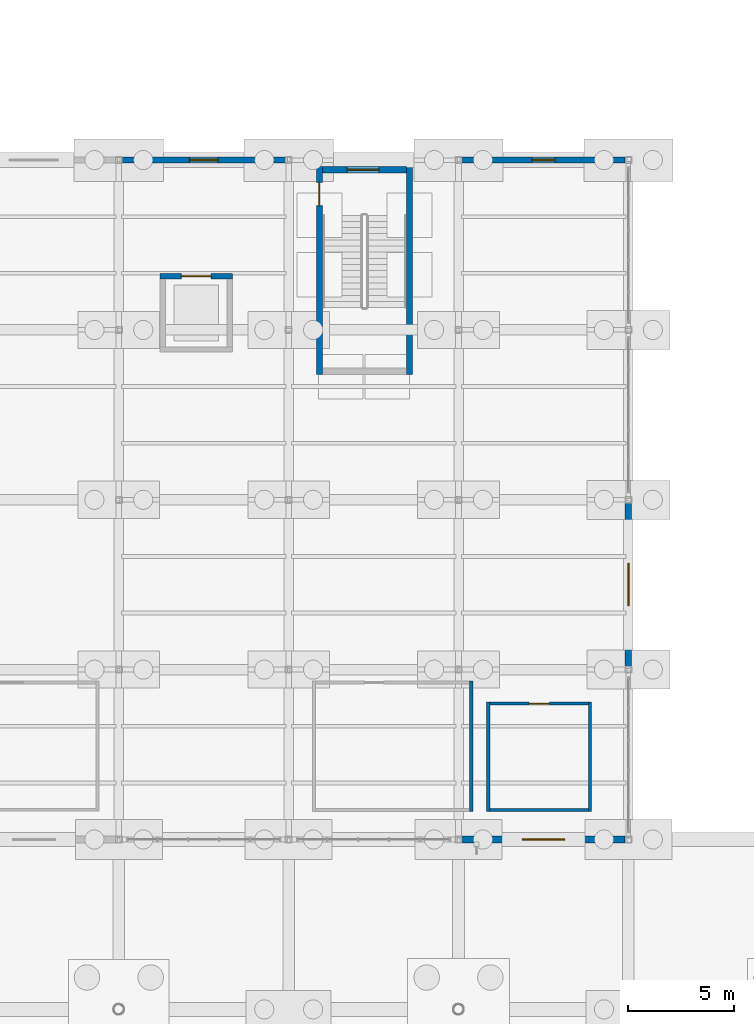
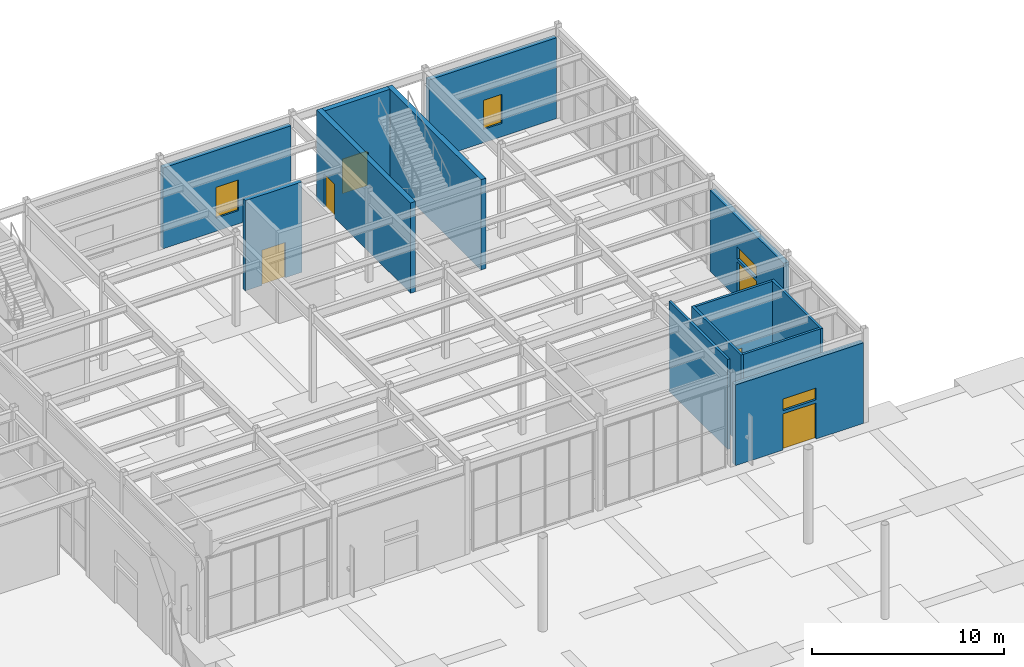
# One storey, part 64 of 82: 13 walls, 6 doors, 4 windows, 10 openings.
"""IFC4 building model written with IfcOpenShell, lengths in metres."""

from ifc_helpers import new_model, si_unit, direction, frame, frame_2d, origin, place, context, subcontext, project, spatial, rectangle, extrude, material, layer, layer_set, type_object, element, fill, save


model = new_model("IFC4")

# Units and contexts
model_context = context("Model", 3, precision=1e-05, world=origin(), true_north=direction((0.0, 1.0)))
body_context = subcontext(model_context, "Body", "Model", "MODEL_VIEW")
ifc_project = project(units=[si_unit("LENGTHUNIT", "METRE"), si_unit("AREAUNIT", "SQUARE_METRE"), si_unit("VOLUMEUNIT", "CUBIC_METRE"), si_unit("PLANEANGLEUNIT", "RADIAN"), si_unit("MASSUNIT", "GRAM", prefix="KILO")], contexts=[model_context])

# Site, building, storey
site_placement = place(None, origin())
site = spatial("IfcSite", under=ifc_project, at=site_placement, CompositionType="ELEMENT")
building_placement = place(site_placement, origin())
building = spatial("IfcBuilding", under=site, at=building_placement, Name="Drelvath Fold Interchange", CompositionType="ELEMENT")
storey_placement = place(building_placement, origin())
storey = spatial("IfcBuildingStorey", under=building, at=storey_placement, Name="L00", CompositionType="ELEMENT", Elevation=0.0)

# Wall
ifc_material_1 = material(Name="Concrete f'c 45 MPa (6500 psi)", Category="concrete")
ifc_layer_1 = layer(ifc_material_1, 0.300048828125, Name="Concrete f'c 45 MPa (6500 psi)")
ifc_layer_set_1 = layer_set([ifc_layer_1], Name="Concrete f'c 45 MPa (6500 psi)")
wall_type_1 = type_object("IfcWallType", Name="WL-CR300", PredefinedType="SHEAR", material=ifc_layer_set_1)
wall_1_placement = place(storey_placement, frame((131.68994140625, 96.89990234375, 0.0), z_axis=(0.0, 0.0, 1.0), x_axis=(0.0, 1.0, 0.0)))
element("IfcWall", 1, at=wall_1_placement, inside=storey, type_object=wall_type_1, Name="ST-08 L00 east core wall", PredefinedType="SHEAR", context=body_context, shape_type="SweptSolid", body=[
    extrude(rectangle(XDim=9.800048828125, YDim=0.300048828125, at=frame_2d((4.89990234375, 0.0))), origin(), (0.0, 0.0, 1.0), 5.7548828125),
])

# Wall, opening, door
wall_2_placement = place(storey_placement, frame((131.5400390625, 106.550048828125, 0.0), z_axis=(0.0, 0.0, 1.0), x_axis=(-1.0, 0.0, 0.0)))
wall_2 = element("IfcWall", 2, at=wall_2_placement, inside=storey, type_object=wall_type_1, Name="ST-08 L00 north core wall", PredefinedType="SHEAR", context=body_context, shape_type="SweptSolid", body=[
    extrude(rectangle(XDim=3.93994140625, YDim=0.300048828125, at=frame_2d((1.969970703125, 0.0))), origin(), (0.0, 0.0, 1.0), 5.7548828125),
])
opening_1_placement = place(wall_2_placement, frame((1.2900390625, 0.0, 0.0)))
opening_1 = element("IfcOpeningElement", 3, at=opening_1_placement, cuts=wall_2, Name="Opening E-08", PredefinedType="OPENING", context=body_context, shape_type="SweptSolid", body=[
    extrude(rectangle(XDim=1.5, YDim=2.199951171875, at=frame_2d((0.75, 1.10009765625))), frame((0.0, 0.159912109375, 0.0), z_axis=(0.0, -1.0, 0.0), x_axis=(1.0, 0.0, 0.0)), (0.0, 0.0, 1.0), 0.320068359375),
])
ifc_material_2 = material(Name="Insulated Hollow Metal Door Assembly")
door_type_1 = type_object("IfcDoorType", Name="DR-EX1500", OperationType="DOUBLE_DOOR_SINGLE_SWING", PredefinedType="DOOR", material=ifc_material_2)
door_1_placement = place(opening_1_placement, frame((1.5, 0.0, 0.0), z_axis=(0.0, 0.0, 1.0), x_axis=(-1.0, 0.0, 0.0)))
door_1 = element("IfcDoor", 4, at=door_1_placement, inside=storey, type_object=door_type_1, Name="Final exit discharge door E-08", OperationType="DOUBLE_DOOR_SINGLE_SWING", OverallHeight=2.199951171875, OverallWidth=1.5, PredefinedType="DOOR", context=body_context, shape_type="SweptSolid", body=[
    extrude(rectangle(XDim=1.5, YDim=2.199951171875, at=frame_2d((0.75, 1.10009765625))), frame((0.0, 0.02490234375, 0.0), z_axis=(0.0, -1.0, 0.0), x_axis=(1.0, 0.0, 0.0)), (0.0, 0.0, 1.0), 0.050048828125),
])
fill(opening_1, door_1)

wall_3_placement = place(storey_placement, frame((127.449951171875, 106.699951171875, 0.0), z_axis=(0.0, 0.0, 1.0), x_axis=(0.0, -1.0, 0.0)))
wall_3 = element("IfcWall", 5, at=wall_3_placement, inside=storey, type_object=wall_type_1, Name="ST-08 L00 west core wall", PredefinedType="SHEAR", context=body_context, shape_type="SweptSolid", body=[
    extrude(rectangle(XDim=9.800048828125, YDim=0.300048828125, at=frame_2d((4.89990234375, 0.0))), origin(), (0.0, 0.0, 1.0), 5.7548828125),
])
opening_2_placement = place(wall_3_placement, frame((0.75, 0.0, 0.0)))
opening_2 = element("IfcOpeningElement", 6, at=opening_2_placement, cuts=wall_3, Name="Opening D-L00-045", PredefinedType="OPENING", context=body_context, shape_type="SweptSolid", body=[
    extrude(rectangle(XDim=1.10009765625, YDim=2.14990234375, at=frame_2d((0.550048828125, 1.074951171875))), frame((0.0, 0.159912109375, 0.0), z_axis=(0.0, -1.0, 0.0), x_axis=(1.0, 0.0, 0.0)), (0.0, 0.0, 1.0), 0.320068359375),
])
door_type_2 = type_object("IfcDoorType", Name="DR-ST1100", OperationType="NOTDEFINED", PredefinedType="DOOR", material=ifc_material_2)
door_2_placement = place(opening_2_placement, origin())
door_2 = element("IfcDoor", 7, at=door_2_placement, inside=storey, type_object=door_type_2, Name="ST-08 L00 stair fire door D-L00-045", OperationType="SINGLE_SWING_LEFT", OverallHeight=2.14990234375, OverallWidth=1.10009765625, PredefinedType="DOOR", context=body_context, shape_type="SweptSolid", body=[
    extrude(rectangle(XDim=1.10009765625, YDim=2.14990234375, at=frame_2d((0.550048828125, 1.074951171875))), frame((0.0, 0.02490234375, 0.0), z_axis=(0.0, -1.0, 0.0), x_axis=(1.0, 0.0, 0.0)), (0.0, 0.0, 1.0), 0.050048828125),
])
fill(opening_2, door_2)

# Wall, opening, window
ifc_material_3 = material(Name="Perforated Anodized Aluminium Rainscreen", Category="aluminium")
ifc_layer_2 = layer(ifc_material_3, 0.27490234375, Name="Perforated Anodized Aluminium Rainscreen")
ifc_layer_set_2 = layer_set([ifc_layer_2], Name="Perforated Anodized Aluminium Rainscreen")
wall_type_2 = type_object("IfcWallType", Name="WL-EXT275", PredefinedType="SOLIDWALL", material=ifc_layer_set_2)
wall_4_placement = place(storey_placement, frame((118.14794921875, 107.0, 0.0), z_axis=(0.0, 0.0, 1.0), x_axis=(1.0, 0.0, 0.0)))
wall_4 = element("IfcWall", 8, at=wall_4_placement, inside=storey, type_object=wall_type_2, Name="L00 exterior facade wall 35", PredefinedType="SOLIDWALL", context=body_context, shape_type="SweptSolid", body=[
    extrude(rectangle(XDim=7.7041015625, YDim=0.27490234375, at=frame_2d((3.85205078125, 0.0))), origin(), (0.0, 0.0, 1.0), 5.14990234375),
])
opening_3_placement = place(wall_4_placement, frame((3.177001953125, 0.0, 0.85009765625)))
opening_3 = element("IfcOpeningElement", 9, at=opening_3_placement, cuts=wall_4, Name="Opening W-L00-032", PredefinedType="OPENING", context=body_context, shape_type="SweptSolid", body=[
    extrude(rectangle(XDim=1.35009765625, YDim=1.949951171875, at=frame_2d((0.675048828125, 0.97509765625))), frame((0.0, 0.1474609375, 0.0), z_axis=(0.0, -1.0, 0.0), x_axis=(1.0, 0.0, 0.0)), (0.0, 0.0, 1.0), 0.294921875),
])
ifc_material_4 = material(Name="Low-Iron Insulated Laminated Glass", Category="glass")
window_type_1 = type_object("IfcWindowType", Name="WN-135x195", PartitioningType="SINGLE_PANEL", PredefinedType="WINDOW", material=ifc_material_4)
window_1_placement = place(opening_3_placement, origin())
window_1 = element("IfcWindow", 10, at=window_1_placement, inside=storey, type_object=window_type_1, Name="Facade window W-L00-032", OverallHeight=1.949951171875, OverallWidth=1.35009765625, PartitioningType="SINGLE_PANEL", PredefinedType="WINDOW", context=body_context, shape_type="SweptSolid", body=[
    extrude(rectangle(XDim=1.35009765625, YDim=1.949951171875, at=frame_2d((0.675048828125, 0.97509765625))), frame((0.0, 0.030029296875, 0.0), z_axis=(0.0, -1.0, 0.0), x_axis=(1.0, 0.0, 0.0)), (0.0, 0.0, 1.0), 0.06005859375),
])
fill(opening_3, window_1)

wall_5_placement = place(storey_placement, frame((134.14892578125, 107.0, 0.0), z_axis=(0.0, 0.0, 1.0), x_axis=(1.0, 0.0, 0.0)))
wall_5 = element("IfcWall", 11, at=wall_5_placement, inside=storey, type_object=wall_type_2, Name="L00 exterior facade wall 36", PredefinedType="SOLIDWALL", context=body_context, shape_type="SweptSolid", body=[
    extrude(rectangle(XDim=7.7021484375, YDim=0.27490234375, at=frame_2d((3.85107421875, 0.0))), origin(), (0.0, 0.0, 1.0), 5.14990234375),
])
opening_4_placement = place(wall_5_placement, frame((3.301025390625, 0.0, 0.85009765625)))
opening_4 = element("IfcOpeningElement", 12, at=opening_4_placement, cuts=wall_5, Name="Opening W-L00-033", PredefinedType="OPENING", context=body_context, shape_type="SweptSolid", body=[
    extrude(rectangle(XDim=1.10009765625, YDim=1.85009765625, at=frame_2d((0.550048828125, 0.925048828125))), frame((0.0, 0.1474609375, 0.0), z_axis=(0.0, -1.0, 0.0), x_axis=(1.0, 0.0, 0.0)), (0.0, 0.0, 1.0), 0.294921875),
])
window_type_2 = type_object("IfcWindowType", Name="WN-110x185", PartitioningType="SINGLE_PANEL", PredefinedType="WINDOW", material=ifc_material_4)
window_2_placement = place(opening_4_placement, origin())
window_2 = element("IfcWindow", 13, at=window_2_placement, inside=storey, type_object=window_type_2, Name="Facade window W-L00-033", OverallHeight=1.85009765625, OverallWidth=1.10009765625, PartitioningType="SINGLE_PANEL", PredefinedType="WINDOW", context=body_context, shape_type="SweptSolid", body=[
    extrude(rectangle(XDim=1.10009765625, YDim=1.85009765625, at=frame_2d((0.550048828125, 0.925048828125))), frame((0.0, 0.030029296875, 0.0), z_axis=(0.0, -1.0, 0.0), x_axis=(1.0, 0.0, 0.0)), (0.0, 0.0, 1.0), 0.06005859375),
])
fill(opening_4, window_2)

# Wall, openings, door, window
ifc_material_5 = material(Name="Precast concrete f'c 40 MPa (6000 psi)", Category="concrete")
ifc_layer_3 = layer(ifc_material_5, 0.31494140625, Name="Precast concrete f'c 40 MPa (6000 psi)")
ifc_layer_set_3 = layer_set([ifc_layer_3], Name="Precast concrete f'c 40 MPa (6000 psi)")
wall_type_3 = type_object("IfcWallType", Name="WL-EXT315", PredefinedType="SOLIDWALL", material=ifc_layer_set_3)
wall_6_placement = place(storey_placement, frame((134.14892578125, 75.0, 0.0), z_axis=(0.0, 0.0, 1.0), x_axis=(1.0, 0.0, 0.0)))
wall_6 = element("IfcWall", 14, at=wall_6_placement, inside=storey, type_object=wall_type_3, Name="L00 exterior facade wall 28", PredefinedType="SOLIDWALL", context=body_context, shape_type="SweptSolid", body=[
    extrude(rectangle(XDim=7.7021484375, YDim=0.31494140625, at=frame_2d((3.85107421875, 0.0))), origin(), (0.0, 0.0, 1.0), 5.137939453125),
])
opening_5_placement = place(wall_6_placement, frame((2.85107421875, 0.0, 0.0)))
opening_5 = element("IfcOpeningElement", 15, at=opening_5_placement, cuts=wall_6, Name="Opening E-20", PredefinedType="OPENING", context=body_context, shape_type="SweptSolid", body=[
    extrude(rectangle(XDim=2.0, YDim=2.300048828125, at=frame_2d((1.0, 1.14990234375))), frame((0.0, 0.16748046875, 0.0), z_axis=(0.0, -1.0, 0.0), x_axis=(1.0, 0.0, 0.0)), (0.0, 0.0, 1.0), 0.3349609375),
])
opening_6_placement = place(wall_6_placement, frame((2.85107421875, 0.0, 2.5)))
opening_6 = element("IfcOpeningElement", 16, at=opening_6_placement, cuts=wall_6, Name="Opening W-L00-026", PredefinedType="OPENING", context=body_context, shape_type="SweptSolid", body=[
    extrude(rectangle(XDim=2.0, YDim=0.75, at=frame_2d((1.0, 0.375))), frame((0.0, 0.16748046875, 0.0), z_axis=(0.0, -1.0, 0.0), x_axis=(1.0, 0.0, 0.0)), (0.0, 0.0, 1.0), 0.3349609375),
])
ifc_material_6 = material(Name="Anodized Aluminium Glazed Door Assembly", Category="aluminium")
door_type_3 = type_object("IfcDoorType", Name="DR-EN2000", OperationType="DOUBLE_DOOR_SINGLE_SWING", PredefinedType="DOOR", material=ifc_material_6)
door_3_placement = place(opening_5_placement, frame((2.0, 0.0, 0.0), z_axis=(0.0, 0.0, 1.0), x_axis=(-1.0, 0.0, 0.0)))
door_3 = element("IfcDoor", 17, at=door_3_placement, inside=storey, type_object=door_type_3, Name="Grade pedestrian entrance and final exit door E-20", OperationType="DOUBLE_DOOR_SINGLE_SWING", OverallHeight=2.300048828125, OverallWidth=2.0, PredefinedType="DOOR", context=body_context, shape_type="SweptSolid", body=[
    extrude(rectangle(XDim=2.0, YDim=2.300048828125, at=frame_2d((1.0, 1.14990234375))), frame((0.0, 0.02490234375, 0.0), z_axis=(0.0, -1.0, 0.0), x_axis=(1.0, 0.0, 0.0)), (0.0, 0.0, 1.0), 0.050048828125),
])
fill(opening_5, door_3)
window_type_3 = type_object("IfcWindowType", Name="WN-TR200x75", PartitioningType="SINGLE_PANEL", PredefinedType="LIGHTDOME", material=ifc_material_4)
window_3_placement = place(opening_6_placement, origin())
window_3 = element("IfcWindow", 18, at=window_3_placement, inside=storey, type_object=window_type_3, Name="Entrance transom window W-L00-026", OverallHeight=0.75, OverallWidth=2.0, PartitioningType="SINGLE_PANEL", PredefinedType="LIGHTDOME", context=body_context, shape_type="SweptSolid", body=[
    extrude(rectangle(XDim=2.0, YDim=0.75, at=frame_2d((1.0, 0.375))), frame((0.0, 0.030029296875, 0.0), z_axis=(0.0, -1.0, 0.0), x_axis=(1.0, 0.0, 0.0)), (0.0, 0.0, 1.0), 0.06005859375),
])
fill(opening_6, window_3)

wall_7_placement = place(storey_placement, frame((142.0, 83.14794921875, 0.0), z_axis=(0.0, 0.0, 1.0), x_axis=(0.0, 1.0, 0.0)))
wall_7 = element("IfcWall", 19, at=wall_7_placement, inside=storey, type_object=wall_type_3, Name="L00 exterior facade wall 30", PredefinedType="SOLIDWALL", context=body_context, shape_type="SweptSolid", body=[
    extrude(rectangle(XDim=7.7041015625, YDim=0.31494140625, at=frame_2d((3.85205078125, 0.0))), origin(), (0.0, 0.0, 1.0), 5.14990234375),
])
opening_7_placement = place(wall_7_placement, frame((2.85205078125, 0.0, 0.0)))
opening_7 = element("IfcOpeningElement", 20, at=opening_7_placement, cuts=wall_7, Name="Opening E-21", PredefinedType="OPENING", context=body_context, shape_type="SweptSolid", body=[
    extrude(rectangle(XDim=2.0, YDim=2.300048828125, at=frame_2d((1.0, 1.14990234375))), frame((0.0, 0.16748046875, 0.0), z_axis=(0.0, -1.0, 0.0), x_axis=(1.0, 0.0, 0.0)), (0.0, 0.0, 1.0), 0.3349609375),
])
opening_8_placement = place(wall_7_placement, frame((2.85205078125, 0.0, 2.5)))
opening_8 = element("IfcOpeningElement", 21, at=opening_8_placement, cuts=wall_7, Name="Opening W-L00-028", PredefinedType="OPENING", context=body_context, shape_type="SweptSolid", body=[
    extrude(rectangle(XDim=2.0, YDim=0.75, at=frame_2d((1.0, 0.375))), frame((0.0, 0.16748046875, 0.0), z_axis=(0.0, -1.0, 0.0), x_axis=(1.0, 0.0, 0.0)), (0.0, 0.0, 1.0), 0.3349609375),
])
door_4_placement = place(opening_7_placement, frame((2.0, 0.0, 0.0), z_axis=(0.0, 0.0, 1.0), x_axis=(-1.0, 0.0, 0.0)))
door_4 = element("IfcDoor", 22, at=door_4_placement, inside=storey, type_object=door_type_3, Name="Grade pedestrian entrance and final exit door E-21", OperationType="DOUBLE_DOOR_SINGLE_SWING", OverallHeight=2.300048828125, OverallWidth=2.0, PredefinedType="DOOR", context=body_context, shape_type="SweptSolid", body=[
    extrude(rectangle(XDim=2.0, YDim=2.300048828125, at=frame_2d((1.0, 1.14990234375))), frame((0.0, 0.02490234375, 0.0), z_axis=(0.0, -1.0, 0.0), x_axis=(1.0, 0.0, 0.0)), (0.0, 0.0, 1.0), 0.050048828125),
])
fill(opening_7, door_4)
window_4_placement = place(opening_8_placement, origin())
window_4 = element("IfcWindow", 23, at=window_4_placement, inside=storey, type_object=window_type_3, Name="Entrance transom window W-L00-028", OverallHeight=0.75, OverallWidth=2.0, PartitioningType="SINGLE_PANEL", PredefinedType="LIGHTDOME", context=body_context, shape_type="SweptSolid", body=[
    extrude(rectangle(XDim=2.0, YDim=0.75, at=frame_2d((1.0, 0.375))), frame((0.0, 0.030029296875, 0.0), z_axis=(0.0, -1.0, 0.0), x_axis=(1.0, 0.0, 0.0)), (0.0, 0.0, 1.0), 0.06005859375),
])
fill(opening_8, window_4)

# Walls
ifc_material_7 = material(Name="Acoustic Gypsum Board Partition Assembly")
ifc_layer_4 = layer(ifc_material_7, 0.14501953125, Name="Acoustic Gypsum Board Partition Assembly")
ifc_layer_set_4 = layer_set([ifc_layer_4], Name="Acoustic Gypsum Board Partition Assembly")
wall_type_4 = type_object("IfcWallType", Name="WL-PT145", PredefinedType="PARTITIONING", material=ifc_layer_set_4)
wall_8_placement = place(storey_placement, frame((134.60009765625, 76.327880859375, 0.0), z_axis=(0.0, 0.0, 1.0), x_axis=(0.0, 1.0, 0.0)))
element("IfcWall", 24, at=wall_8_placement, inside=storey, type_object=wall_type_4, Name="Cyclist Shower and Changing Suite E partition", PredefinedType="PARTITIONING", context=body_context, shape_type="SweptSolid", body=[
    extrude(rectangle(XDim=6.14501953125, YDim=0.14501953125, at=frame_2d((3.072509765625, 0.0))), origin(), (0.0, 0.0, 1.0), 5.72998046875),
])
wall_9_placement = place(storey_placement, frame((135.471923828125, 76.39990234375, 0.0), z_axis=(0.0, 0.0, 1.0), x_axis=(1.0, 0.0, 0.0)))
element("IfcWall", 25, at=wall_9_placement, inside=storey, type_object=wall_type_4, Name="Cycle Hub Accessible WC S partition", PredefinedType="PARTITIONING", context=body_context, shape_type="SweptSolid", body=[
    extrude(rectangle(XDim=4.655029296875, YDim=0.14501953125, at=frame_2d((2.32763671875, 0.0))), origin(), (0.0, 0.0, 1.0), 5.72998046875),
])
wall_10_placement = place(storey_placement, frame((140.199951171875, 76.327880859375, 0.0), z_axis=(0.0, 0.0, 1.0), x_axis=(0.0, 1.0, 0.0)))
element("IfcWall", 26, at=wall_10_placement, inside=storey, type_object=wall_type_4, Name="Cycle Hub Accessible WC E partition", PredefinedType="PARTITIONING", context=body_context, shape_type="SweptSolid", body=[
    extrude(rectangle(XDim=5.14501953125, YDim=0.14501953125, at=frame_2d((2.572509765625, 0.0))), origin(), (0.0, 0.0, 1.0), 5.72998046875),
])

# Wall, opening, door
wall_11_placement = place(storey_placement, frame((140.126953125, 81.39990234375, 0.0), z_axis=(0.0, 0.0, 1.0), x_axis=(-1.0, 0.0, 0.0)))
wall_11 = element("IfcWall", 27, at=wall_11_placement, inside=storey, type_object=wall_type_4, Name="Cycle Hub Accessible WC N partition", PredefinedType="PARTITIONING", context=body_context, shape_type="SweptSolid", body=[
    extrude(rectangle(XDim=4.655029296875, YDim=0.14501953125, at=frame_2d((2.32763671875, 0.0))), origin(), (0.0, 0.0, 1.0), 5.72998046875),
])
opening_9_placement = place(wall_11_placement, frame((1.847900390625, 0.0, 0.0)))
opening_9 = element("IfcOpeningElement", 28, at=opening_9_placement, cuts=wall_11, Name="Opening D-L00-102", PredefinedType="OPENING", context=body_context, shape_type="SweptSolid", body=[
    extrude(rectangle(XDim=0.9599609375, YDim=2.1201171875, at=frame_2d((0.47998046875, 1.06005859375))), frame((0.0, 0.08251953125, 0.0), z_axis=(0.0, -1.0, 0.0), x_axis=(1.0, 0.0, 0.0)), (0.0, 0.0, 1.0), 0.1650390625),
])
door_type_4 = type_object("IfcDoorType", Name="DR-NR096", OperationType="NOTDEFINED", PredefinedType="DOOR", material=ifc_material_6)
door_5_placement = place(opening_9_placement, frame((0.9599609375, 0.0, 0.0), z_axis=(0.0, 0.0, 1.0), x_axis=(-1.0, 0.0, 0.0)))
door_5 = element("IfcDoor", 29, at=door_5_placement, inside=storey, type_object=door_type_4, Name="Cycle Hub Accessible WC door D-L00-102", OperationType="SINGLE_SWING_RIGHT", OverallHeight=2.1201171875, OverallWidth=0.9599609375, PredefinedType="DOOR", context=body_context, shape_type="SweptSolid", body=[
    extrude(rectangle(XDim=0.9599609375, YDim=2.1201171875, at=frame_2d((0.47998046875, 1.06005859375))), frame((0.0, 0.02490234375, 0.0), z_axis=(0.0, -1.0, 0.0), x_axis=(1.0, 0.0, 0.0)), (0.0, 0.0, 1.0), 0.050048828125),
])
fill(opening_9, door_5)

# Wall
wall_12_placement = place(storey_placement, frame((135.39990234375, 81.472900390625, 0.0), z_axis=(0.0, 0.0, 1.0), x_axis=(0.0, -1.0, 0.0)))
element("IfcWall", 30, at=wall_12_placement, inside=storey, type_object=wall_type_4, Name="Cycle Hub Accessible WC W partition", PredefinedType="PARTITIONING", context=body_context, shape_type="SweptSolid", body=[
    extrude(rectangle(XDim=5.14501953125, YDim=0.14501953125, at=frame_2d((2.572509765625, 0.0))), origin(), (0.0, 0.0, 1.0), 5.72998046875),
])

# Wall, opening, door
ifc_layer_5 = layer(ifc_material_1, 0.25, Name="Concrete f'c 45 MPa (6500 psi)")
ifc_layer_set_5 = layer_set([ifc_layer_5], Name="Concrete f'c 45 MPa (6500 psi)")
wall_type_5 = type_object("IfcWallType", Name="WL-SH250", PredefinedType="SOLIDWALL", material=ifc_layer_set_5)
wall_13_placement = place(storey_placement, frame((123.35009765625, 101.52490234375, 0.0), z_axis=(0.0, 0.0, 1.0), x_axis=(-1.0, 0.0, 0.0)))
wall_13 = element("IfcWall", 31, at=wall_13_placement, inside=storey, type_object=wall_type_5, Name="LF-08 L00 north shaft wall", PredefinedType="SOLIDWALL", context=body_context, shape_type="SweptSolid", body=[
    extrude(rectangle(XDim=3.400146484375, YDim=0.25, at=frame_2d((1.7001953125, 0.0))), origin(), (0.0, 0.0, 1.0), 5.7548828125),
])
opening_10_placement = place(wall_13_placement, frame((1.0, 0.0, 0.0)))
opening_10 = element("IfcOpeningElement", 32, at=opening_10_placement, cuts=wall_13, Name="Opening LD-LF-08-L00", PredefinedType="OPENING", context=body_context, shape_type="SweptSolid", body=[
    extrude(rectangle(XDim=1.39990234375, YDim=2.25, at=frame_2d((0.699951171875, 1.125))), frame((0.0, 0.135009765625, 0.0), z_axis=(0.0, -1.0, 0.0), x_axis=(1.0, 0.0, 0.0)), (0.0, 0.0, 1.0), 0.27001953125),
])
door_type_5 = type_object("IfcDoorType", Name="DR-LD1400", OperationType="DOUBLE_DOOR_SLIDING", PredefinedType="DOOR", material=ifc_material_2)
door_6_placement = place(opening_10_placement, frame((1.39990234375, 0.0, 0.0), z_axis=(0.0, 0.0, 1.0), x_axis=(-1.0, 0.0, 0.0)))
door_6 = element("IfcDoor", 33, at=door_6_placement, inside=storey, type_object=door_type_5, Name="LF-08 L00 lift landing sliding door LD-LF-08-L00", OperationType="DOUBLE_DOOR_SLIDING", OverallHeight=2.25, OverallWidth=1.39990234375, PredefinedType="DOOR", context=body_context, shape_type="SweptSolid", body=[
    extrude(rectangle(XDim=1.39990234375, YDim=2.25, at=frame_2d((0.699951171875, 1.125))), frame((0.0, 0.02490234375, 0.0), z_axis=(0.0, -1.0, 0.0), x_axis=(1.0, 0.0, 0.0)), (0.0, 0.0, 1.0), 0.050048828125),
])
fill(opening_10, door_6)

save(model, "model.ifc")
